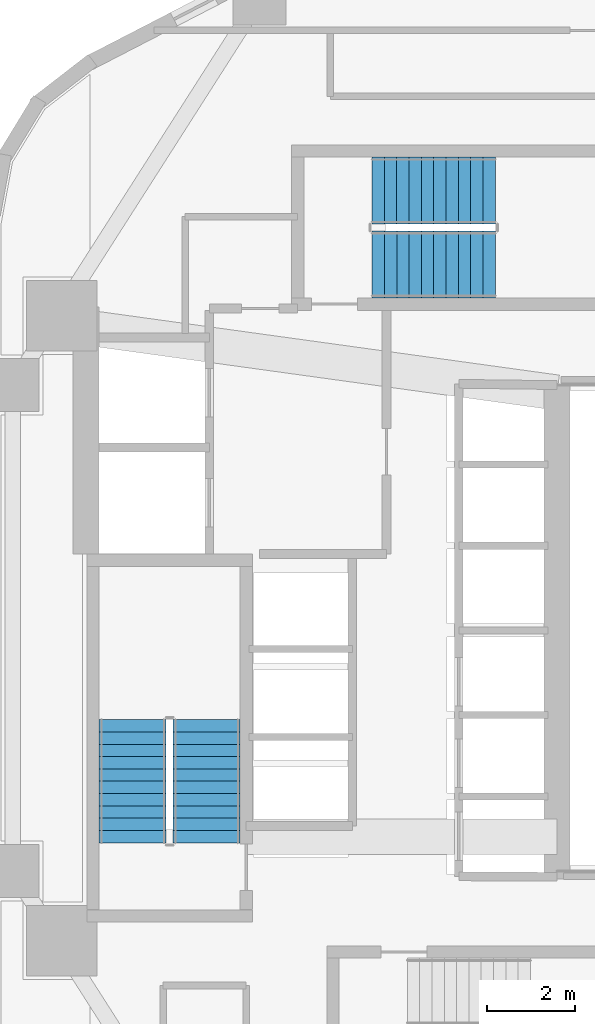
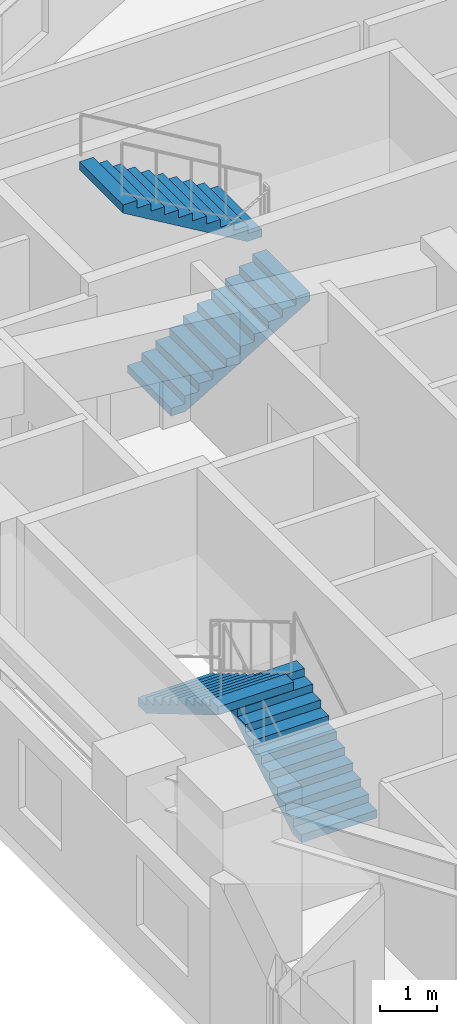
# One storey, part 8 of 10: 4 stair flights, 2 elements without a shape of their own.
"""IFC4 building model written with IfcOpenShell, lengths in metres."""

from ifc_helpers import new_model, si_unit, direction, frame, origin, place, context, subcontext, project, spatial, polyline, outline, extrude, material, type_object, element, aggregate, save


model = new_model("IFC4")

# Units and contexts
model_context = context("Model", 3, precision=1e-05, world=origin(), true_north=direction((0.0, 1.0)))
body_context = subcontext(model_context, "Body", "Model", "MODEL_VIEW")
ifc_project = project(units=[si_unit("LENGTHUNIT", "METRE"), si_unit("AREAUNIT", "SQUARE_METRE"), si_unit("VOLUMEUNIT", "CUBIC_METRE"), si_unit("PLANEANGLEUNIT", "RADIAN"), si_unit("MASSUNIT", "GRAM", prefix="KILO"), si_unit("THERMODYNAMICTEMPERATUREUNIT", "KELVIN"), si_unit("POWERUNIT", "WATT")], contexts=[model_context])

# Site, building, storey
site_placement = place(None, origin())
site = spatial("IfcSite", under=ifc_project, at=site_placement, CompositionType="ELEMENT")
building_placement = place(site_placement, origin())
building = spatial("IfcBuilding", under=site, at=building_placement, Name="Skarre Station Tower", CompositionType="ELEMENT")
storey_placement = place(building_placement, frame((0.0, 0.0, 56.199951171875)))
storey = spatial("IfcBuildingStorey", under=building, at=storey_placement, Name="L14", CompositionType="ELEMENT", Elevation=56.199951171875)

# Stair, stair flights
ifc_material = material(Name="Concrete C40/50", Category="concrete")
stair_type_1 = type_object("IfcStairType", Name="Reinforced Concrete Exit Stair ST-1", PredefinedType="HALF_TURN_STAIR", material=ifc_material)
stair_1_placement = place(storey_placement, origin())
stair_1 = element("IfcStair", 1, at=stair_1_placement, inside=storey, type_object=stair_type_1, Name="L14 Core Exit Stair ST-1", PredefinedType="HALF_TURN_STAIR")
stair_flight_type_1 = type_object("IfcStairFlightType", Name="Reinforced Concrete Stair Flight ST-1", PredefinedType="STRAIGHT", material=ifc_material)
stair_flight_1_placement = place(storey_placement, frame((19.590087890625, 19.1201171875, 0.0), z_axis=(0.0, 0.0, 1.0), x_axis=(0.0, 1.0, 0.0)))
stair_flight_1 = element("IfcStairFlight", 2, at=stair_flight_1_placement, type_object=stair_flight_type_1, Name="ST-1 flight 1", NumberOfRisers=11, NumberOfTreads=10, PredefinedType="STRAIGHT", RiserHeight=0.165909091, TreadLength=0.28, context=body_context, shape_type="SweptSolid", body=[
    extrude(outline(polyline([(0.0, 0.0), (0.0, 0.166015625), (0.280029296875, 0.166015625), (0.280029296875, 0.331787109375), (0.56005859375, 0.331787109375), (0.56005859375, 0.497802734375), (0.840087890625, 0.497802734375), (0.840087890625, 0.66357421875), (1.1201171875, 0.66357421875), (1.1201171875, 0.82958984375), (1.39990234375, 0.82958984375), (1.39990234375, 0.995361328125), (1.679931640625, 0.995361328125), (1.679931640625, 1.161376953125), (1.9599609375, 1.161376953125), (1.9599609375, 1.327392578125), (2.239990234375, 1.327392578125), (2.239990234375, 1.4931640625), (2.52001953125, 1.4931640625), (2.52001953125, 1.6591796875), (2.800048828125, 1.6591796875), (2.800048828125, 1.824951171875), (2.800048828125, 1.48486328125), (0.2939453125, 0.0), (0.0, 0.0)])), frame((0.0, 0.760009765625, 0.0), z_axis=(0.0, -1.0, 0.0), x_axis=(1.0, 0.0, 0.0)), (0.0, 0.0, 1.0), 1.52001953125),
])
stair_flight_2_placement = place(storey_placement, frame((17.909912109375, 21.919921875, 1.824951171875), z_axis=(0.0, 0.0, 1.0), x_axis=(0.0, -1.0, 0.0)))
stair_flight_2 = element("IfcStairFlight", 3, at=stair_flight_2_placement, type_object=stair_flight_type_1, Name="ST-1 flight 2", NumberOfRisers=11, NumberOfTreads=10, PredefinedType="STRAIGHT", RiserHeight=0.165909091, TreadLength=0.28, context=body_context, shape_type="SweptSolid", body=[
    extrude(outline(polyline([(0.0, 0.0), (0.0, 0.166015625), (0.280029296875, 0.166015625), (0.280029296875, 0.331787109375), (0.56005859375, 0.331787109375), (0.56005859375, 0.497802734375), (0.840087890625, 0.497802734375), (0.840087890625, 0.66357421875), (1.1201171875, 0.66357421875), (1.1201171875, 0.82958984375), (1.39990234375, 0.82958984375), (1.39990234375, 0.995361328125), (1.679931640625, 0.995361328125), (1.679931640625, 1.161376953125), (1.9599609375, 1.161376953125), (1.9599609375, 1.327392578125), (2.239990234375, 1.327392578125), (2.239990234375, 1.4931640625), (2.52001953125, 1.4931640625), (2.52001953125, 1.6591796875), (2.800048828125, 1.6591796875), (2.800048828125, 1.824951171875), (2.800048828125, 1.48486328125), (0.2939453125, 0.0), (0.0, 0.0)])), frame((0.0, 0.760009765625, 0.0), z_axis=(0.0, -1.0, 0.0), x_axis=(1.0, 0.0, 0.0)), (0.0, 0.0, 1.0), 1.52001953125),
])
aggregate(stair_1, [stair_flight_1, stair_flight_2])

stair_type_2 = type_object("IfcStairType", Name="Reinforced Concrete Exit Stair ST-3", PredefinedType="HALF_TURN_STAIR", material=ifc_material)
stair_2_placement = place(storey_placement, origin())
stair_2 = element("IfcStair", 4, at=stair_2_placement, inside=storey, type_object=stair_type_2, Name="L14 Core Exit Stair ST-3", PredefinedType="HALF_TURN_STAIR")
stair_flight_type_2 = type_object("IfcStairFlightType", Name="Reinforced Concrete Stair Flight ST-3", PredefinedType="STRAIGHT", material=ifc_material)
stair_flight_3_placement = place(storey_placement, frame((23.35009765625, 32.260009765625, 0.0), z_axis=(0.0, 0.0, 1.0), x_axis=(1.0, 0.0, 0.0)))
stair_flight_3 = element("IfcStairFlight", 5, at=stair_flight_3_placement, type_object=stair_flight_type_2, Name="ST-3 flight 1", NumberOfRisers=11, NumberOfTreads=10, PredefinedType="STRAIGHT", RiserHeight=0.165909091, TreadLength=0.28, context=body_context, shape_type="SweptSolid", body=[
    extrude(outline(polyline([(0.0, 0.0), (0.0, 0.166015625), (0.280029296875, 0.166015625), (0.280029296875, 0.331787109375), (0.56005859375, 0.331787109375), (0.56005859375, 0.497802734375), (0.840087890625, 0.497802734375), (0.840087890625, 0.66357421875), (1.1201171875, 0.66357421875), (1.1201171875, 0.82958984375), (1.39990234375, 0.82958984375), (1.39990234375, 0.995361328125), (1.679931640625, 0.995361328125), (1.679931640625, 1.161376953125), (1.9599609375, 1.161376953125), (1.9599609375, 1.327392578125), (2.239990234375, 1.327392578125), (2.239990234375, 1.4931640625), (2.52001953125, 1.4931640625), (2.52001953125, 1.6591796875), (2.800048828125, 1.6591796875), (2.800048828125, 1.824951171875), (2.800048828125, 1.48486328125), (0.2939453125, 0.0), (0.0, 0.0)])), frame((0.0, 0.760009765625, 0.0), z_axis=(0.0, -1.0, 0.0), x_axis=(1.0, 0.0, 0.0)), (0.0, 0.0, 1.0), 1.52001953125),
])
stair_flight_4_placement = place(storey_placement, frame((26.14990234375, 33.93994140625, 1.824951171875), z_axis=(0.0, 0.0, 1.0), x_axis=(-1.0, 0.0, 0.0)))
stair_flight_4 = element("IfcStairFlight", 6, at=stair_flight_4_placement, type_object=stair_flight_type_2, Name="ST-3 flight 2", NumberOfRisers=11, NumberOfTreads=10, PredefinedType="STRAIGHT", RiserHeight=0.165909091, TreadLength=0.28, context=body_context, shape_type="SweptSolid", body=[
    extrude(outline(polyline([(0.0, 0.0), (0.0, 0.166015625), (0.280029296875, 0.166015625), (0.280029296875, 0.331787109375), (0.56005859375, 0.331787109375), (0.56005859375, 0.497802734375), (0.840087890625, 0.497802734375), (0.840087890625, 0.66357421875), (1.1201171875, 0.66357421875), (1.1201171875, 0.82958984375), (1.39990234375, 0.82958984375), (1.39990234375, 0.995361328125), (1.679931640625, 0.995361328125), (1.679931640625, 1.161376953125), (1.9599609375, 1.161376953125), (1.9599609375, 1.327392578125), (2.239990234375, 1.327392578125), (2.239990234375, 1.4931640625), (2.52001953125, 1.4931640625), (2.52001953125, 1.6591796875), (2.800048828125, 1.6591796875), (2.800048828125, 1.824951171875), (2.800048828125, 1.48486328125), (0.2939453125, 0.0), (0.0, 0.0)])), frame((0.0, 0.760009765625, 0.0), z_axis=(0.0, -1.0, 0.0), x_axis=(1.0, 0.0, 0.0)), (0.0, 0.0, 1.0), 1.52001953125),
])
aggregate(stair_2, [stair_flight_3, stair_flight_4])

save(model, "model.ifc")
